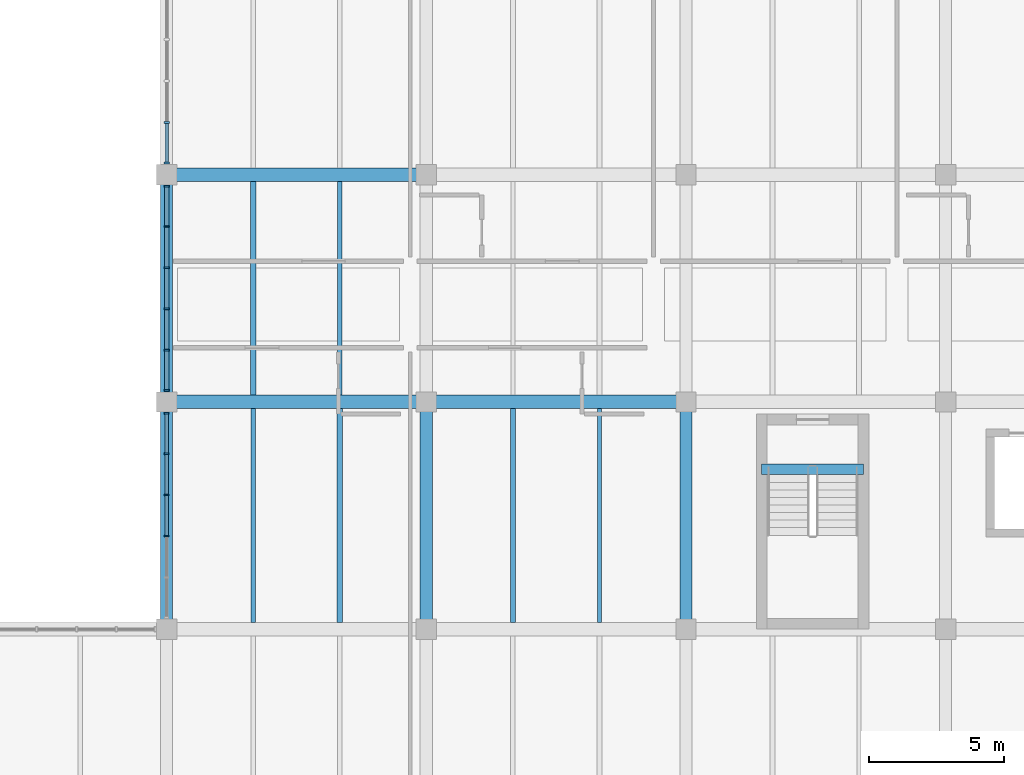
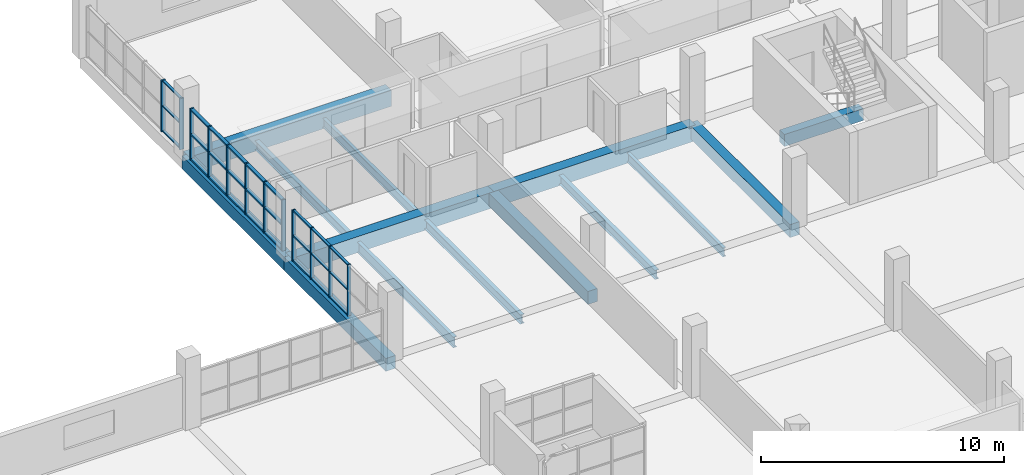
# One storey, part 78 of 147: 39 members, 14 beams, 3 elements without a shape of their own.
"""IFC4 building model written with IfcOpenShell, lengths in metres."""

import ifcopenshell
import ifcopenshell.guid

model = None  # the IFC model being written
_history = None  # IfcOwnerHistory: only IFC2X3 demands one
_inside = {}  # id of a spatial element -> (the spatial element, [elements in it])
_under = {}  # id of a project, library or spatial element -> (it, [spatial elements below it])
_declared = {}  # id of a project -> (the project, [libraries it declares])
_typed = {}  # id of a type object -> (the type object, [elements of that type])
_made_of = {}  # id of a material, layer set ... -> (it, [elements and type objects made of it])


def new_model(schema):
    """Start an empty IFC model of exactly this schema.

    Asked for "IFC4X3", IfcOpenShell would pick the latest addendum, in which some entities
    have other attributes; the version numbers below select the first issue.
    IFC2X3 requires an IfcOwnerHistory on every rooted entity: one is made here for all.
    """
    global model, _history
    if schema == "IFC4X3":
        model = ifcopenshell.file(schema_version=(4, 3, 0, 0))
    else:
        model = ifcopenshell.file(schema=schema)
    _inside.clear()
    _under.clear()
    _declared.clear()
    _typed.clear()
    _made_of.clear()
    _history = None
    if model.schema == "IFC2X3":
        org = make("IfcOrganization", Name="unknown")
        user = make(
            "IfcPersonAndOrganization",
            ThePerson=make("IfcPerson", FamilyName="unknown"),
            TheOrganization=org,
        )
        app = make(
            "IfcApplication",
            ApplicationDeveloper=org,
            Version="unknown",
            ApplicationFullName="unknown",
            ApplicationIdentifier="unknown",
        )
        _history = make(
            "IfcOwnerHistory",
            OwningUser=user,
            OwningApplication=app,
            ChangeAction="ADDED",
            CreationDate=0,
        )
    return model


def make(cls, **values):
    """One entity of the class cls with the attributes given. An attribute that is None is left unset."""
    return model.create_entity(
        cls, **{name: value for name, value in values.items() if value is not None}
    )


def rooted(cls, **values):
    """An entity with a GlobalId (a new one), such as an element, a storey or a relation."""
    return make(cls, GlobalId=ifcopenshell.guid.new(), OwnerHistory=_history, **values)


def si_unit(unit_type, name, prefix=None):
    """IfcSIUnit, for example si_unit("LENGTHUNIT", "METRE", prefix="MILLI")."""
    return make("IfcSIUnit", UnitType=unit_type, Prefix=prefix, Name=name)


def assignment(units):
    """IfcUnitAssignment: the units of a project."""
    return None if units is None else make("IfcUnitAssignment", Units=units)


def point(xyz):
    """IfcCartesianPoint."""
    return None if xyz is None else make("IfcCartesianPoint", Coordinates=xyz)


def direction(xyz):
    """IfcDirection."""
    return None if xyz is None else make("IfcDirection", DirectionRatios=xyz)


def frame(location, z_axis=None, x_axis=None):
    """IfcAxis2Placement3D, a coordinate frame: its origin and axes. An axis left out is left unset."""
    return make(
        "IfcAxis2Placement3D",
        Location=point(location),
        Axis=direction(z_axis),
        RefDirection=direction(x_axis),
    )


def frame_2d(location, x_axis=None):
    """IfcAxis2Placement2D, a coordinate frame in the plane: its origin and x axis."""
    return make(
        "IfcAxis2Placement2D", Location=point(location), RefDirection=direction(x_axis)
    )


def origin():
    """The frame at (0, 0, 0) with its axes left unset."""
    return frame((0.0, 0.0, 0.0))


def origin_2d():
    """The frame at (0, 0) in the plane with its x axis left unset."""
    return frame_2d((0.0, 0.0))


def place(relative_to, where):
    """IfcLocalPlacement: puts the frame where relative to a parent placement (None: the world)."""
    return make(
        "IfcLocalPlacement", PlacementRelTo=relative_to, RelativePlacement=where
    )


def context(
    kind, dimensions, precision=None, world=None, true_north=None, identifier=None
):
    """IfcGeometricRepresentationContext, for example the 3D "Model" context."""
    return make(
        "IfcGeometricRepresentationContext",
        ContextIdentifier=identifier,
        ContextType=kind,
        CoordinateSpaceDimension=dimensions,
        Precision=precision,
        WorldCoordinateSystem=world,
        TrueNorth=true_north,
    )


def subcontext(parent, identifier, kind, view, scale=None):
    """IfcGeometricRepresentationSubContext, for example "Body" below "Model"."""
    return make(
        "IfcGeometricRepresentationSubContext",
        ContextIdentifier=identifier,
        ContextType=kind,
        ParentContext=parent,
        TargetScale=scale,
        TargetView=view,
    )


def project(units=None, contexts=None):
    """IfcProject with its units and contexts."""
    return rooted(
        "IfcProject",
        Name="project",
        RepresentationContexts=contexts,
        UnitsInContext=assignment(units),
    )


def spatial(cls, under=None, at=None, **own):
    """A site, building, storey or space (cls), placed at a placement, below another one or the project."""
    s = rooted(cls, ObjectPlacement=at, **own)
    if under is not None:
        _under.setdefault(under.id(), (under, []))[1].append(s)
    return s


def profile(cls, at=None, kind="AREA", **sizes):
    """A parametric profile (cls). Its sizes go by their IFC names, for example OverallWidth=200.0."""
    return make(cls, ProfileType=kind, Position=at, **sizes)


def rectangle(**sizes):
    """IfcRectangleProfileDef."""
    return profile("IfcRectangleProfileDef", **sizes)


def i_section(**sizes):
    """IfcIShapeProfileDef."""
    return profile("IfcIShapeProfileDef", **sizes)


def extrude(swept, where, along, depth):
    """IfcExtrudedAreaSolid: the profile swept, set in the frame where, extruded along a direction by depth."""
    return make(
        "IfcExtrudedAreaSolid",
        SweptArea=swept,
        Position=where,
        ExtrudedDirection=direction(along),
        Depth=depth,
    )


def shape(context_of_items, identifier, shape_type, items):
    """IfcShapeRepresentation: the items that make up one representation, for example the "Body"."""
    return make(
        "IfcShapeRepresentation",
        ContextOfItems=context_of_items,
        RepresentationIdentifier=identifier,
        RepresentationType=shape_type,
        Items=items,
    )


def material(Name=None, Category=None):
    """IfcMaterial."""
    return make("IfcMaterial", Name=Name, Category=Category)


def material_profile(
    of_material, cross_section, Name=None, Category=None, Priority=None
):
    """IfcMaterialProfile: a cross section and its material."""
    return make(
        "IfcMaterialProfile",
        Name=Name,
        Material=of_material,
        Profile=cross_section,
        Priority=Priority,
        Category=Category,
    )


def profile_set(profiles, Name=None, composite=None):
    """IfcMaterialProfileSet."""
    return make(
        "IfcMaterialProfileSet",
        Name=Name,
        MaterialProfiles=profiles,
        CompositeProfile=composite,
    )


def made_of(thing, what):
    """Note that an element or type object is made of a material, layer set ...; save() writes the relation."""
    if what is not None:
        _made_of.setdefault(what.id(), (what, []))[1].append(thing)
    return thing


def type_object(cls, material=None, **own):
    """A type object (cls), such as IfcWallType, which elements share."""
    return made_of(rooted(cls, **own), material)


def element(
    cls,
    number,
    at=None,
    inside=None,
    cuts=None,
    type_object=None,
    material=None,
    context=None,
    identifier="Body",
    shape_type=None,
    held_by="IfcProductDefinitionShape",
    body=None,
    shapes=None,
    **own,
):
    """One element of the class cls, such as IfcWall. Its Tag is "e" and its number.

    at: its placement. inside: the storey or other place that contains it. cuts: it is an
    opening in that element (IfcRelVoidsElement). A single representation is given by context,
    identifier, shape_type and body (its items); several are given by shapes. held_by: the class
    of the entity that holds the representations. save() writes the other relations.
    """
    e = rooted(cls, Tag="e%d" % number, ObjectPlacement=at, **own)
    if body is not None:
        shapes = [shape(context, identifier, shape_type, body)]
    if shapes is not None:
        e.Representation = make(held_by, Representations=shapes)
    if inside is not None:
        _inside.setdefault(inside.id(), (inside, []))[1].append(e)
    if cuts is not None:
        rooted(
            "IfcRelVoidsElement", RelatingBuildingElement=cuts, RelatedOpeningElement=e
        )
    if type_object is not None:
        _typed.setdefault(type_object.id(), (type_object, []))[1].append(e)
    return made_of(e, material)


def aggregate(whole, parts):
    """IfcRelAggregates: a whole, such as a stair, and the parts it consists of."""
    return rooted("IfcRelAggregates", RelatingObject=whole, RelatedObjects=parts)


def save(model, path):
    """Write the relations noted so far, then the file.

    IfcRelAggregates (storeys below a building ...), IfcRelContainedInSpatialStructure (elements
    in a storey), IfcRelDefinesByType, IfcRelAssociatesMaterial and IfcRelDeclares: one each for
    every whole, place, type object, material and project.
    """
    for whole, parts in _under.values():
        aggregate(whole, parts)
    for where, things in _inside.values():
        rooted(
            "IfcRelContainedInSpatialStructure",
            RelatedElements=things,
            RelatingStructure=where,
        )
    for kind, things in _typed.values():
        rooted("IfcRelDefinesByType", RelatedObjects=things, RelatingType=kind)
    for what, things in _made_of.values():
        rooted("IfcRelAssociatesMaterial", RelatedObjects=things, RelatingMaterial=what)
    for by, libraries in _declared.values():
        rooted("IfcRelDeclares", RelatingContext=by, RelatedDefinitions=libraries)
    model.write(path)


model = new_model("IFC4")

# Units and contexts
model_context = context("Model", 3, precision=1e-05, world=origin(), true_north=direction((0.0, 1.0)))
body_context = subcontext(model_context, "Body", "Model", "MODEL_VIEW")
ifc_project = project(units=[si_unit("LENGTHUNIT", "METRE"), si_unit("AREAUNIT", "SQUARE_METRE"), si_unit("VOLUMEUNIT", "CUBIC_METRE"), si_unit("PLANEANGLEUNIT", "RADIAN"), si_unit("MASSUNIT", "GRAM", prefix="KILO")], contexts=[model_context])

# Site, building, storey
site_placement = place(None, origin())
site = spatial("IfcSite", under=ifc_project, at=site_placement, CompositionType="ELEMENT")
building_placement = place(site_placement, origin())
building = spatial("IfcBuilding", under=site, at=building_placement, Name="Oolite Switchyard Hospital", CompositionType="ELEMENT")
storey_placement = place(building_placement, frame((0.0, 0.0, 9.89990234375)))
storey = spatial("IfcBuildingStorey", under=building, at=storey_placement, Name="L02", CompositionType="ELEMENT", Elevation=9.89990234375)

# Beams
ifc_material_1 = material(Name="Concrete C40/50", Category="concrete")
ifc_material_profile_1 = material_profile(ifc_material_1, rectangle(XDim=0.39990234375, YDim=0.60009765625, at=origin_2d()), Name="RCB400X600")
ifc_profile_set_1 = profile_set([ifc_material_profile_1], Name="Concrete C40/50")
beam_type_1 = type_object("IfcBeamType", Name="BM-RC400X600", PredefinedType="BEAM", material=ifc_profile_set_1)
beam_1_placement = place(storey_placement, frame((156.39990234375, 115.110107421875, -0.2998046875), z_axis=(1.0, 0.0, 0.0), x_axis=(0.0, 1.0, 0.0)))
element("IfcBeam", 1, at=beam_1_placement, inside=storey, type_object=beam_type_1, Name="L02 ST-03 Stair Throat Trimmer Beam", PredefinedType="BEAM", context=body_context, shape_type="SweptSolid", body=[
    extrude(rectangle(XDim=0.39990234375, YDim=0.60009765625, at=origin_2d()), origin(), (0.0, 0.0, 1.0), 3.760009765625),
])
ifc_material_profile_2 = material_profile(ifc_material_1, rectangle(XDim=0.449951171875, YDim=0.64990234375, at=origin_2d()), Name="RCB450X650")
ifc_profile_set_2 = profile_set([ifc_material_profile_2], Name="Concrete C40/50")
beam_type_2 = type_object("IfcBeamType", Name="BM-RC450X650", PredefinedType="BEAM", material=ifc_profile_set_2)
beam_2_placement = place(storey_placement, frame((134.39990234375, 109.199951171875, -0.324951171875), z_axis=(0.0, 1.0, 0.0), x_axis=(-1.0, 0.0, 0.0)))
element("IfcBeam", 2, at=beam_2_placement, inside=storey, type_object=beam_type_2, Name="L02 Y-Girder 1411", PredefinedType="BEAM", context=body_context, shape_type="SweptSolid", body=[
    extrude(rectangle(XDim=0.449951171875, YDim=0.64990234375, at=origin_2d()), origin(), (0.0, 0.0, 1.0), 8.400146484375),
])
beam_3_placement = place(storey_placement, frame((134.39990234375, 117.60009765625, -0.324951171875), z_axis=(0.0, 1.0, 0.0), x_axis=(-1.0, 0.0, 0.0)))
element("IfcBeam", 3, at=beam_3_placement, inside=storey, type_object=beam_type_2, Name="L02 Y-Girder 1412", PredefinedType="BEAM", context=body_context, shape_type="SweptSolid", body=[
    extrude(rectangle(XDim=0.449951171875, YDim=0.64990234375, at=origin_2d()), origin(), (0.0, 0.0, 1.0), 8.39990234375),
])
for number, where, z_axis, x_axis, name in (
    (4, (144.0, 109.199951171875, -0.324951171875), (0.0, 1.0, 0.0), (-1.0, 0.0, 0.0), "L02 Y-Girder 1426"),
    (5, (153.60009765625, 109.199951171875, -0.324951171875), (0.0, 1.0, 0.0), (-1.0, 0.0, 0.0), "L02 Y-Girder 1439"),
):
    element("IfcBeam", number, at=place(storey_placement, frame(where, z_axis=z_axis, x_axis=x_axis)), inside=storey, type_object=beam_type_2, Name=name, PredefinedType="BEAM", context=body_context, shape_type="SweptSolid", body=[
        extrude(rectangle(XDim=0.449951171875, YDim=0.64990234375, at=origin_2d()), origin(), (0.0, 0.0, 1.0), 8.400146484375),
    ])
ifc_material_profile_3 = material_profile(ifc_material_1, rectangle(XDim=0.5, YDim=0.800048828125, at=origin_2d()), Name="RCB500X800")
ifc_profile_set_3 = profile_set([ifc_material_profile_3], Name="Concrete C40/50")
beam_type_3 = type_object("IfcBeamType", Name="BM-RC500X800", PredefinedType="BEAM", material=ifc_profile_set_3)
for number, where, z_axis, x_axis, name in (
    (6, (134.39990234375, 117.60009765625, -0.39990234375), (1.0, 0.0, 0.0), (0.0, 1.0, 0.0), "L02 X-Girder 1211"),
    (7, (144.0, 117.60009765625, -0.39990234375), (1.0, 0.0, 0.0), (0.0, 1.0, 0.0), "L02 X-Girder 1212"),
    (8, (134.39990234375, 126.0, -0.39990234375), (1.0, 0.0, 0.0), (0.0, 1.0, 0.0), "L02 X-Girder 1227"),
):
    element("IfcBeam", number, at=place(storey_placement, frame(where, z_axis=z_axis, x_axis=x_axis)), inside=storey, type_object=beam_type_3, Name=name, PredefinedType="BEAM", context=body_context, shape_type="SweptSolid", body=[
        extrude(rectangle(XDim=0.5, YDim=0.800048828125, at=origin_2d()), origin(), (0.0, 0.0, 1.0), 9.60009765625),
    ])
ifc_material_2 = material(Name="Steel ASTM A992 Grade 50", Category="steel")
ifc_material_profile_4 = material_profile(ifc_material_2, i_section(OverallWidth=0.153076171875, OverallDepth=0.455078125, WebThickness=0.008056640625, FlangeThickness=0.012939453125, at=origin_2d()), Name="W18X40")
ifc_profile_set_4 = profile_set([ifc_material_profile_4], Name="Steel ASTM A992 Grade 50")
beam_type_4 = type_object("IfcBeamType", Name="BM-W18X40", PredefinedType="JOIST", material=ifc_profile_set_4)
beam_4_placement = place(storey_placement, frame((140.800048828125, 117.85009765625, -0.48681640625), z_axis=(0.0, 1.0, 0.0), x_axis=(-1.0, 0.0, 0.0)))
element("IfcBeam", 9, at=beam_4_placement, inside=storey, type_object=beam_type_4, Name="L02 Secondary Steel Joist 1789", PredefinedType="JOIST", context=body_context, shape_type="SweptSolid", body=[
    extrude(i_section(OverallWidth=0.153076171875, OverallDepth=0.455078125, WebThickness=0.008056640625, FlangeThickness=0.012939453125, at=origin_2d()), origin(), (0.0, 0.0, 1.0), 7.89990234375),
])
beam_5_placement = place(storey_placement, frame((150.39990234375, 109.449951171875, -0.48681640625), z_axis=(0.0, 1.0, 0.0), x_axis=(-1.0, 0.0, 0.0)))
element("IfcBeam", 10, at=beam_5_placement, inside=storey, type_object=beam_type_4, Name="L02 Secondary Steel Joist 1807", PredefinedType="JOIST", context=body_context, shape_type="SweptSolid", body=[
    extrude(i_section(OverallWidth=0.153076171875, OverallDepth=0.455078125, WebThickness=0.008056640625, FlangeThickness=0.012939453125, at=origin_2d()), origin(), (0.0, 0.0, 1.0), 7.900146484375),
])
ifc_material_profile_5 = material_profile(ifc_material_2, i_section(OverallWidth=0.19091796875, OverallDepth=0.4599609375, WebThickness=0.010009765625, FlangeThickness=0.01611328125, at=origin_2d()), Name="W18X55")
ifc_profile_set_5 = profile_set([ifc_material_profile_5], Name="Steel ASTM A992 Grade 50")
beam_type_5 = type_object("IfcBeamType", Name="BM-W18X55", PredefinedType="JOIST", material=ifc_profile_set_5)
beam_6_placement = place(storey_placement, frame((140.800048828125, 109.449951171875, -0.489990234375), z_axis=(0.0, 1.0, 0.0), x_axis=(-1.0, 0.0, 0.0)))
element("IfcBeam", 11, at=beam_6_placement, inside=storey, type_object=beam_type_5, Name="L02 Secondary Steel Joist 1787", PredefinedType="JOIST", context=body_context, shape_type="SweptSolid", body=[
    extrude(i_section(OverallWidth=0.19091796875, OverallDepth=0.4599609375, WebThickness=0.010009765625, FlangeThickness=0.01611328125, at=origin_2d()), origin(), (0.0, 0.0, 1.0), 7.900146484375),
])
beam_7_placement = place(storey_placement, frame((137.60009765625, 117.85009765625, -0.489990234375), z_axis=(0.0, 1.0, 0.0), x_axis=(-1.0, 0.0, 0.0)))
element("IfcBeam", 12, at=beam_7_placement, inside=storey, type_object=beam_type_5, Name="L02 Secondary Steel Joist 1788", PredefinedType="JOIST", context=body_context, shape_type="SweptSolid", body=[
    extrude(i_section(OverallWidth=0.19091796875, OverallDepth=0.4599609375, WebThickness=0.010009765625, FlangeThickness=0.01611328125, at=origin_2d()), origin(), (0.0, 0.0, 1.0), 7.89990234375),
])
beam_8_placement = place(storey_placement, frame((147.199951171875, 109.449951171875, -0.489990234375), z_axis=(0.0, 1.0, 0.0), x_axis=(-1.0, 0.0, 0.0)))
element("IfcBeam", 13, at=beam_8_placement, inside=storey, type_object=beam_type_5, Name="L02 Secondary Steel Joist 1806", PredefinedType="JOIST", context=body_context, shape_type="SweptSolid", body=[
    extrude(i_section(OverallWidth=0.19091796875, OverallDepth=0.4599609375, WebThickness=0.010009765625, FlangeThickness=0.01611328125, at=origin_2d()), origin(), (0.0, 0.0, 1.0), 7.900146484375),
])
ifc_material_profile_6 = material_profile(ifc_material_2, i_section(OverallWidth=0.166015625, OverallDepth=0.529052734375, WebThickness=0.010009765625, FlangeThickness=0.013916015625, at=origin_2d()), Name="W21X50")
ifc_profile_set_6 = profile_set([ifc_material_profile_6], Name="Steel ASTM A992 Grade 50")
beam_type_6 = type_object("IfcBeamType", Name="BM-W21X50", PredefinedType="JOIST", material=ifc_profile_set_6)
beam_9_placement = place(storey_placement, frame((137.60009765625, 109.449951171875, -0.52392578125), z_axis=(0.0, 1.0, 0.0), x_axis=(-1.0, 0.0, 0.0)))
element("IfcBeam", 14, at=beam_9_placement, inside=storey, type_object=beam_type_6, Name="L02 Secondary Steel Joist 1786", PredefinedType="JOIST", context=body_context, shape_type="SweptSolid", body=[
    extrude(i_section(OverallWidth=0.166015625, OverallDepth=0.529052734375, WebThickness=0.010009765625, FlangeThickness=0.013916015625, at=origin_2d()), origin(), (0.0, 0.0, 1.0), 7.900146484375),
])

# Curtain wall, members
ifc_material_3 = material(Name="Thermally broken aluminum frame with laminated impact glazing", Category="aluminium")
curtain_wall_type = type_object("IfcCurtainWallType", Name="CW-UNIT-84X36", PredefinedType="USERDEFINED", material=ifc_material_3)
curtain_wall_1_placement = place(storey_placement, origin())
curtain_wall_1 = element("IfcCurtainWall", 15, at=curtain_wall_1_placement, inside=storey, type_object=curtain_wall_type, Name="L02 Unitised Curtain Wall 298", ObjectType="UNITISED", PredefinedType="USERDEFINED")
ifc_material_4 = material(Name="Aluminium 6063-T6", Category="aluminium")
ifc_material_profile_7 = material_profile(ifc_material_4, rectangle(XDim=0.159912109375, YDim=0.06005859375, at=origin_2d()), Name="CWM60X160")
ifc_profile_set_7 = profile_set([ifc_material_profile_7], Name="Aluminium 6063-T6")
member_type_1 = type_object("IfcMemberType", Name="CW-MUL-180", PredefinedType="MULLION", material=ifc_profile_set_7)
member_1_placement = place(storey_placement, frame((134.39990234375, 112.637939453125, 0.0), z_axis=(0.0, 0.0, 1.0), x_axis=(-1.0, 0.0, 0.0)))
member_1 = element("IfcMember", 16, at=member_1_placement, type_object=member_type_1, Name="CW-08 mullion 3", PredefinedType="MULLION", context=body_context, shape_type="SweptSolid", body=[
    extrude(rectangle(XDim=0.159912109375, YDim=0.06005859375, at=origin_2d()), origin(), (0.0, 0.0, 1.0), 2.570068359375),
])
member_2_placement = place(storey_placement, frame((134.39990234375, 114.162109375, 0.0), z_axis=(0.0, 0.0, 1.0), x_axis=(-1.0, 0.0, 0.0)))
member_2 = element("IfcMember", 17, at=member_2_placement, type_object=member_type_1, Name="CW-08 mullion 4", PredefinedType="MULLION", context=body_context, shape_type="SweptSolid", body=[
    extrude(rectangle(XDim=0.159912109375, YDim=0.06005859375, at=origin_2d()), origin(), (0.0, 0.0, 1.0), 2.570068359375),
])
member_3_placement = place(storey_placement, frame((134.39990234375, 115.68603515625, 0.0), z_axis=(0.0, 0.0, 1.0), x_axis=(-1.0, 0.0, 0.0)))
member_3 = element("IfcMember", 18, at=member_3_placement, type_object=member_type_1, Name="CW-08 mullion 5", PredefinedType="MULLION", context=body_context, shape_type="SweptSolid", body=[
    extrude(rectangle(XDim=0.159912109375, YDim=0.06005859375, at=origin_2d()), origin(), (0.0, 0.0, 1.0), 2.570068359375),
])
member_4_placement = place(storey_placement, frame((134.39990234375, 117.179931640625, 0.0), z_axis=(0.0, 0.0, 1.0), x_axis=(-1.0, 0.0, 0.0)))
member_4 = element("IfcMember", 19, at=member_4_placement, type_object=member_type_1, Name="CW-08 mullion 6", PredefinedType="MULLION", context=body_context, shape_type="SweptSolid", body=[
    extrude(rectangle(XDim=0.159912109375, YDim=0.06005859375, at=origin_2d()), origin(), (0.0, 0.0, 1.0), 2.570068359375),
])

curtain_wall_2_placement = place(storey_placement, origin())
curtain_wall_2 = element("IfcCurtainWall", 20, at=curtain_wall_2_placement, inside=storey, type_object=curtain_wall_type, Name="L02 Unitised Curtain Wall 299", ObjectType="UNITISED", PredefinedType="USERDEFINED")
ifc_material_profile_8 = material_profile(ifc_material_4, rectangle(XDim=0.179931640625, YDim=0.070068359375, at=origin_2d()), Name="CWM70X180")
ifc_profile_set_8 = profile_set([ifc_material_profile_8], Name="Aluminium 6063-T6")
member_type_2 = type_object("IfcMemberType", Name="CW-MUL-220", PredefinedType="MULLION", material=ifc_profile_set_8)
member_5_placement = place(storey_placement, frame((134.39990234375, 118.02490234375, 0.0), z_axis=(0.0, 0.0, 1.0), x_axis=(-1.0, 0.0, 0.0)))
member_5 = element("IfcMember", 21, at=member_5_placement, type_object=member_type_2, Name="CW-08 mullion 1", PredefinedType="MULLION", context=body_context, shape_type="SweptSolid", body=[
    extrude(rectangle(XDim=0.179931640625, YDim=0.070068359375, at=origin_2d()), origin(), (0.0, 0.0, 1.0), 2.570068359375),
])
member_6_placement = place(storey_placement, frame((134.39990234375, 119.513916015625, 0.0), z_axis=(0.0, 0.0, 1.0), x_axis=(-1.0, 0.0, 0.0)))
member_6 = element("IfcMember", 22, at=member_6_placement, type_object=member_type_2, Name="CW-08 mullion 2", PredefinedType="MULLION", context=body_context, shape_type="SweptSolid", body=[
    extrude(rectangle(XDim=0.179931640625, YDim=0.070068359375, at=origin_2d()), origin(), (0.0, 0.0, 1.0), 2.570068359375),
])
member_7_placement = place(storey_placement, frame((134.39990234375, 121.0380859375, 0.0), z_axis=(0.0, 0.0, 1.0), x_axis=(-1.0, 0.0, 0.0)))
member_7 = element("IfcMember", 23, at=member_7_placement, type_object=member_type_2, Name="CW-08 mullion 3", PredefinedType="MULLION", context=body_context, shape_type="SweptSolid", body=[
    extrude(rectangle(XDim=0.179931640625, YDim=0.070068359375, at=origin_2d()), origin(), (0.0, 0.0, 1.0), 2.570068359375),
])
member_8_placement = place(storey_placement, frame((134.39990234375, 122.56201171875, 0.0), z_axis=(0.0, 0.0, 1.0), x_axis=(-1.0, 0.0, 0.0)))
member_8 = element("IfcMember", 24, at=member_8_placement, type_object=member_type_2, Name="CW-08 mullion 4", PredefinedType="MULLION", context=body_context, shape_type="SweptSolid", body=[
    extrude(rectangle(XDim=0.179931640625, YDim=0.070068359375, at=origin_2d()), origin(), (0.0, 0.0, 1.0), 2.570068359375),
])
member_9_placement = place(storey_placement, frame((134.39990234375, 124.0859375, 0.0), z_axis=(0.0, 0.0, 1.0), x_axis=(-1.0, 0.0, 0.0)))
member_9 = element("IfcMember", 25, at=member_9_placement, type_object=member_type_2, Name="CW-08 mullion 5", PredefinedType="MULLION", context=body_context, shape_type="SweptSolid", body=[
    extrude(rectangle(XDim=0.179931640625, YDim=0.070068359375, at=origin_2d()), origin(), (0.0, 0.0, 1.0), 2.570068359375),
])
member_10_placement = place(storey_placement, frame((134.39990234375, 125.574951171875, 0.0), z_axis=(0.0, 0.0, 1.0), x_axis=(-1.0, 0.0, 0.0)))
member_10 = element("IfcMember", 26, at=member_10_placement, type_object=member_type_2, Name="CW-08 mullion 6", PredefinedType="MULLION", context=body_context, shape_type="SweptSolid", body=[
    extrude(rectangle(XDim=0.179931640625, YDim=0.070068359375, at=origin_2d()), origin(), (0.0, 0.0, 1.0), 2.570068359375),
])

curtain_wall_3_placement = place(storey_placement, origin())
curtain_wall_3 = element("IfcCurtainWall", 27, at=curtain_wall_3_placement, inside=storey, type_object=curtain_wall_type, Name="L02 Unitised Curtain Wall 300", ObjectType="UNITISED", PredefinedType="USERDEFINED")
ifc_material_profile_9 = material_profile(ifc_material_4, rectangle(XDim=0.199951171875, YDim=0.074951171875, at=origin_2d()), Name="CWM75X200")
ifc_profile_set_9 = profile_set([ifc_material_profile_9], Name="Aluminium 6063-T6")
member_type_3 = type_object("IfcMemberType", Name="CW-MUL-260", PredefinedType="MULLION", material=ifc_profile_set_9)
member_11_placement = place(storey_placement, frame((134.39990234375, 126.427490234375, 0.0), z_axis=(0.0, 0.0, 1.0), x_axis=(-1.0, 0.0, 0.0)))
member_11 = element("IfcMember", 28, at=member_11_placement, type_object=member_type_3, Name="CW-08 mullion 1", PredefinedType="MULLION", context=body_context, shape_type="SweptSolid", body=[
    extrude(rectangle(XDim=0.199951171875, YDim=0.074951171875, at=origin_2d()), origin(), (0.0, 0.0, 1.0), 2.570068359375),
])
member_12_placement = place(storey_placement, frame((134.39990234375, 127.928955078125, 0.0), z_axis=(0.0, 0.0, 1.0), x_axis=(-1.0, 0.0, 0.0)))
member_12 = element("IfcMember", 29, at=member_12_placement, type_object=member_type_3, Name="CW-08 mullion 2", PredefinedType="MULLION", context=body_context, shape_type="SweptSolid", body=[
    extrude(rectangle(XDim=0.199951171875, YDim=0.074951171875, at=origin_2d()), origin(), (0.0, 0.0, 1.0), 2.570068359375),
])

# Member
ifc_material_profile_10 = material_profile(ifc_material_4, rectangle(XDim=0.1201171875, YDim=0.06005859375, at=origin_2d()), Name="CWT60X120")
ifc_profile_set_10 = profile_set([ifc_material_profile_10], Name="Aluminium 6063-T6")
member_type_4 = type_object("IfcMemberType", Name="CW-TRN-150", PredefinedType="USERDEFINED", material=ifc_profile_set_10)
member_13_placement = place(storey_placement, frame((134.39990234375, 112.66796875, 0.030029296875), z_axis=(0.0, 1.0, 0.0), x_axis=(-1.0, 0.0, 0.0)))
member_13 = element("IfcMember", 30, at=member_13_placement, type_object=member_type_4, Name="CW-08 transom 3.1", ObjectType="TRANSOM", PredefinedType="USERDEFINED", context=body_context, shape_type="SweptSolid", body=[
    extrude(rectangle(XDim=0.1201171875, YDim=0.06005859375, at=origin_2d()), origin(), (0.0, 0.0, 1.0), 1.464111328125),
])

member_14_placement = place(storey_placement, frame((134.39990234375, 112.66796875, 1.28515625), z_axis=(0.0, 1.0, 0.0), x_axis=(-1.0, 0.0, 0.0)))
member_14 = element("IfcMember", 31, at=member_14_placement, type_object=member_type_4, Name="CW-08 transom 3.2", ObjectType="TRANSOM", PredefinedType="USERDEFINED", context=body_context, shape_type="SweptSolid", body=[
    extrude(rectangle(XDim=0.1201171875, YDim=0.06005859375, at=origin_2d()), origin(), (0.0, 0.0, 1.0), 1.464111328125),
])

member_15_placement = place(storey_placement, frame((134.39990234375, 112.66796875, 2.5400390625), z_axis=(0.0, 1.0, 0.0), x_axis=(-1.0, 0.0, 0.0)))
member_15 = element("IfcMember", 32, at=member_15_placement, type_object=member_type_4, Name="CW-08 transom 3.3", ObjectType="TRANSOM", PredefinedType="USERDEFINED", context=body_context, shape_type="SweptSolid", body=[
    extrude(rectangle(XDim=0.1201171875, YDim=0.06005859375, at=origin_2d()), origin(), (0.0, 0.0, 1.0), 1.464111328125),
])

member_16_placement = place(storey_placement, frame((134.39990234375, 114.19189453125, 0.030029296875), z_axis=(0.0, 1.0, 0.0), x_axis=(-1.0, 0.0, 0.0)))
member_16 = element("IfcMember", 33, at=member_16_placement, type_object=member_type_4, Name="CW-08 transom 4.1", ObjectType="TRANSOM", PredefinedType="USERDEFINED", context=body_context, shape_type="SweptSolid", body=[
    extrude(rectangle(XDim=0.1201171875, YDim=0.06005859375, at=origin_2d()), origin(), (0.0, 0.0, 1.0), 1.464111328125),
])

member_17_placement = place(storey_placement, frame((134.39990234375, 114.19189453125, 1.28515625), z_axis=(0.0, 1.0, 0.0), x_axis=(-1.0, 0.0, 0.0)))
member_17 = element("IfcMember", 34, at=member_17_placement, type_object=member_type_4, Name="CW-08 transom 4.2", ObjectType="TRANSOM", PredefinedType="USERDEFINED", context=body_context, shape_type="SweptSolid", body=[
    extrude(rectangle(XDim=0.1201171875, YDim=0.06005859375, at=origin_2d()), origin(), (0.0, 0.0, 1.0), 1.464111328125),
])

member_18_placement = place(storey_placement, frame((134.39990234375, 114.19189453125, 2.5400390625), z_axis=(0.0, 1.0, 0.0), x_axis=(-1.0, 0.0, 0.0)))
member_18 = element("IfcMember", 35, at=member_18_placement, type_object=member_type_4, Name="CW-08 transom 4.3", ObjectType="TRANSOM", PredefinedType="USERDEFINED", context=body_context, shape_type="SweptSolid", body=[
    extrude(rectangle(XDim=0.1201171875, YDim=0.06005859375, at=origin_2d()), origin(), (0.0, 0.0, 1.0), 1.464111328125),
])

member_19_placement = place(storey_placement, frame((134.39990234375, 115.716064453125, 0.030029296875), z_axis=(0.0, 1.0, 0.0), x_axis=(-1.0, 0.0, 0.0)))
member_19 = element("IfcMember", 36, at=member_19_placement, type_object=member_type_4, Name="CW-08 transom 5.1", ObjectType="TRANSOM", PredefinedType="USERDEFINED", context=body_context, shape_type="SweptSolid", body=[
    extrude(rectangle(XDim=0.1201171875, YDim=0.06005859375, at=origin_2d()), origin(), (0.0, 0.0, 1.0), 1.433837890625),
])

member_20_placement = place(storey_placement, frame((134.39990234375, 115.716064453125, 1.28515625), z_axis=(0.0, 1.0, 0.0), x_axis=(-1.0, 0.0, 0.0)))
member_20 = element("IfcMember", 37, at=member_20_placement, type_object=member_type_4, Name="CW-08 transom 5.2", ObjectType="TRANSOM", PredefinedType="USERDEFINED", context=body_context, shape_type="SweptSolid", body=[
    extrude(rectangle(XDim=0.1201171875, YDim=0.06005859375, at=origin_2d()), origin(), (0.0, 0.0, 1.0), 1.433837890625),
])

member_21_placement = place(storey_placement, frame((134.39990234375, 115.716064453125, 2.5400390625), z_axis=(0.0, 1.0, 0.0), x_axis=(-1.0, 0.0, 0.0)))
member_21 = element("IfcMember", 38, at=member_21_placement, type_object=member_type_4, Name="CW-08 transom 5.3", ObjectType="TRANSOM", PredefinedType="USERDEFINED", context=body_context, shape_type="SweptSolid", body=[
    extrude(rectangle(XDim=0.1201171875, YDim=0.06005859375, at=origin_2d()), origin(), (0.0, 0.0, 1.0), 1.433837890625),
])

aggregate(curtain_wall_1, [member_1, member_2, member_3, member_4, member_13, member_14, member_15, member_16, member_17, member_18, member_19, member_20, member_21])

member_22_placement = place(storey_placement, frame((134.39990234375, 126.465087890625, 0.030029296875), z_axis=(0.0, 1.0, 0.0), x_axis=(-1.0, 0.0, 0.0)))
member_22 = element("IfcMember", 39, at=member_22_placement, type_object=member_type_4, Name="CW-08 transom 1.1", ObjectType="TRANSOM", PredefinedType="USERDEFINED", context=body_context, shape_type="SweptSolid", body=[
    extrude(rectangle(XDim=0.1201171875, YDim=0.06005859375, at=origin_2d()), origin(), (0.0, 0.0, 1.0), 1.426513671875),
])

member_23_placement = place(storey_placement, frame((134.39990234375, 126.465087890625, 1.28515625), z_axis=(0.0, 1.0, 0.0), x_axis=(-1.0, 0.0, 0.0)))
member_23 = element("IfcMember", 40, at=member_23_placement, type_object=member_type_4, Name="CW-08 transom 1.2", ObjectType="TRANSOM", PredefinedType="USERDEFINED", context=body_context, shape_type="SweptSolid", body=[
    extrude(rectangle(XDim=0.1201171875, YDim=0.06005859375, at=origin_2d()), origin(), (0.0, 0.0, 1.0), 1.426513671875),
])

member_24_placement = place(storey_placement, frame((134.39990234375, 126.465087890625, 2.5400390625), z_axis=(0.0, 1.0, 0.0), x_axis=(-1.0, 0.0, 0.0)))
member_24 = element("IfcMember", 41, at=member_24_placement, type_object=member_type_4, Name="CW-08 transom 1.3", ObjectType="TRANSOM", PredefinedType="USERDEFINED", context=body_context, shape_type="SweptSolid", body=[
    extrude(rectangle(XDim=0.1201171875, YDim=0.06005859375, at=origin_2d()), origin(), (0.0, 0.0, 1.0), 1.426513671875),
])

aggregate(curtain_wall_3, [member_11, member_12, member_22, member_23, member_24])

ifc_material_profile_11 = material_profile(ifc_material_4, rectangle(XDim=0.159912109375, YDim=0.074951171875, at=origin_2d()), Name="CWT75X160")
ifc_profile_set_11 = profile_set([ifc_material_profile_11], Name="Aluminium 6063-T6")
member_type_5 = type_object("IfcMemberType", Name="CW-TRN-180", PredefinedType="USERDEFINED", material=ifc_profile_set_11)
member_25_placement = place(storey_placement, frame((134.39990234375, 118.06005859375, 0.03759765625), z_axis=(0.0, 1.0, 0.0), x_axis=(-1.0, 0.0, 0.0)))
member_25 = element("IfcMember", 42, at=member_25_placement, type_object=member_type_5, Name="CW-08 transom 1.1", ObjectType="TRANSOM", PredefinedType="USERDEFINED", context=body_context, shape_type="SweptSolid", body=[
    extrude(rectangle(XDim=0.159912109375, YDim=0.074951171875, at=origin_2d()), origin(), (0.0, 0.0, 1.0), 1.4189453125),
])

member_26_placement = place(storey_placement, frame((134.39990234375, 118.06005859375, 1.28515625), z_axis=(0.0, 1.0, 0.0), x_axis=(-1.0, 0.0, 0.0)))
member_26 = element("IfcMember", 43, at=member_26_placement, type_object=member_type_5, Name="CW-08 transom 1.2", ObjectType="TRANSOM", PredefinedType="USERDEFINED", context=body_context, shape_type="SweptSolid", body=[
    extrude(rectangle(XDim=0.159912109375, YDim=0.074951171875, at=origin_2d()), origin(), (0.0, 0.0, 1.0), 1.4189453125),
])

member_27_placement = place(storey_placement, frame((134.39990234375, 118.06005859375, 2.53271484375), z_axis=(0.0, 1.0, 0.0), x_axis=(-1.0, 0.0, 0.0)))
member_27 = element("IfcMember", 44, at=member_27_placement, type_object=member_type_5, Name="CW-08 transom 1.3", ObjectType="TRANSOM", PredefinedType="USERDEFINED", context=body_context, shape_type="SweptSolid", body=[
    extrude(rectangle(XDim=0.159912109375, YDim=0.074951171875, at=origin_2d()), origin(), (0.0, 0.0, 1.0), 1.4189453125),
])

member_28_placement = place(storey_placement, frame((134.39990234375, 119.549072265625, 0.03759765625), z_axis=(0.0, 1.0, 0.0), x_axis=(-1.0, 0.0, 0.0)))
member_28 = element("IfcMember", 45, at=member_28_placement, type_object=member_type_5, Name="CW-08 transom 2.1", ObjectType="TRANSOM", PredefinedType="USERDEFINED", context=body_context, shape_type="SweptSolid", body=[
    extrude(rectangle(XDim=0.159912109375, YDim=0.074951171875, at=origin_2d()), origin(), (0.0, 0.0, 1.0), 1.453857421875),
])

member_29_placement = place(storey_placement, frame((134.39990234375, 119.549072265625, 1.28515625), z_axis=(0.0, 1.0, 0.0), x_axis=(-1.0, 0.0, 0.0)))
member_29 = element("IfcMember", 46, at=member_29_placement, type_object=member_type_5, Name="CW-08 transom 2.2", ObjectType="TRANSOM", PredefinedType="USERDEFINED", context=body_context, shape_type="SweptSolid", body=[
    extrude(rectangle(XDim=0.159912109375, YDim=0.074951171875, at=origin_2d()), origin(), (0.0, 0.0, 1.0), 1.453857421875),
])

member_30_placement = place(storey_placement, frame((134.39990234375, 119.549072265625, 2.53271484375), z_axis=(0.0, 1.0, 0.0), x_axis=(-1.0, 0.0, 0.0)))
member_30 = element("IfcMember", 47, at=member_30_placement, type_object=member_type_5, Name="CW-08 transom 2.3", ObjectType="TRANSOM", PredefinedType="USERDEFINED", context=body_context, shape_type="SweptSolid", body=[
    extrude(rectangle(XDim=0.159912109375, YDim=0.074951171875, at=origin_2d()), origin(), (0.0, 0.0, 1.0), 1.453857421875),
])

member_31_placement = place(storey_placement, frame((134.39990234375, 121.072998046875, 0.03759765625), z_axis=(0.0, 1.0, 0.0), x_axis=(-1.0, 0.0, 0.0)))
member_31 = element("IfcMember", 48, at=member_31_placement, type_object=member_type_5, Name="CW-08 transom 3.1", ObjectType="TRANSOM", PredefinedType="USERDEFINED", context=body_context, shape_type="SweptSolid", body=[
    extrude(rectangle(XDim=0.159912109375, YDim=0.074951171875, at=origin_2d()), origin(), (0.0, 0.0, 1.0), 1.4541015625),
])

member_32_placement = place(storey_placement, frame((134.39990234375, 121.072998046875, 1.28515625), z_axis=(0.0, 1.0, 0.0), x_axis=(-1.0, 0.0, 0.0)))
member_32 = element("IfcMember", 49, at=member_32_placement, type_object=member_type_5, Name="CW-08 transom 3.2", ObjectType="TRANSOM", PredefinedType="USERDEFINED", context=body_context, shape_type="SweptSolid", body=[
    extrude(rectangle(XDim=0.159912109375, YDim=0.074951171875, at=origin_2d()), origin(), (0.0, 0.0, 1.0), 1.4541015625),
])

member_33_placement = place(storey_placement, frame((134.39990234375, 121.072998046875, 2.53271484375), z_axis=(0.0, 1.0, 0.0), x_axis=(-1.0, 0.0, 0.0)))
member_33 = element("IfcMember", 50, at=member_33_placement, type_object=member_type_5, Name="CW-08 transom 3.3", ObjectType="TRANSOM", PredefinedType="USERDEFINED", context=body_context, shape_type="SweptSolid", body=[
    extrude(rectangle(XDim=0.159912109375, YDim=0.074951171875, at=origin_2d()), origin(), (0.0, 0.0, 1.0), 1.4541015625),
])

member_34_placement = place(storey_placement, frame((134.39990234375, 122.596923828125, 0.03759765625), z_axis=(0.0, 1.0, 0.0), x_axis=(-1.0, 0.0, 0.0)))
member_34 = element("IfcMember", 51, at=member_34_placement, type_object=member_type_5, Name="CW-08 transom 4.1", ObjectType="TRANSOM", PredefinedType="USERDEFINED", context=body_context, shape_type="SweptSolid", body=[
    extrude(rectangle(XDim=0.159912109375, YDim=0.074951171875, at=origin_2d()), origin(), (0.0, 0.0, 1.0), 1.4541015625),
])

member_35_placement = place(storey_placement, frame((134.39990234375, 122.596923828125, 1.28515625), z_axis=(0.0, 1.0, 0.0), x_axis=(-1.0, 0.0, 0.0)))
member_35 = element("IfcMember", 52, at=member_35_placement, type_object=member_type_5, Name="CW-08 transom 4.2", ObjectType="TRANSOM", PredefinedType="USERDEFINED", context=body_context, shape_type="SweptSolid", body=[
    extrude(rectangle(XDim=0.159912109375, YDim=0.074951171875, at=origin_2d()), origin(), (0.0, 0.0, 1.0), 1.4541015625),
])

member_36_placement = place(storey_placement, frame((134.39990234375, 122.596923828125, 2.53271484375), z_axis=(0.0, 1.0, 0.0), x_axis=(-1.0, 0.0, 0.0)))
member_36 = element("IfcMember", 53, at=member_36_placement, type_object=member_type_5, Name="CW-08 transom 4.3", ObjectType="TRANSOM", PredefinedType="USERDEFINED", context=body_context, shape_type="SweptSolid", body=[
    extrude(rectangle(XDim=0.159912109375, YDim=0.074951171875, at=origin_2d()), origin(), (0.0, 0.0, 1.0), 1.4541015625),
])

member_37_placement = place(storey_placement, frame((134.39990234375, 124.12109375, 0.03759765625), z_axis=(0.0, 1.0, 0.0), x_axis=(-1.0, 0.0, 0.0)))
member_37 = element("IfcMember", 54, at=member_37_placement, type_object=member_type_5, Name="CW-08 transom 5.1", ObjectType="TRANSOM", PredefinedType="USERDEFINED", context=body_context, shape_type="SweptSolid", body=[
    extrude(rectangle(XDim=0.159912109375, YDim=0.074951171875, at=origin_2d()), origin(), (0.0, 0.0, 1.0), 1.4189453125),
])

member_38_placement = place(storey_placement, frame((134.39990234375, 124.12109375, 1.28515625), z_axis=(0.0, 1.0, 0.0), x_axis=(-1.0, 0.0, 0.0)))
member_38 = element("IfcMember", 55, at=member_38_placement, type_object=member_type_5, Name="CW-08 transom 5.2", ObjectType="TRANSOM", PredefinedType="USERDEFINED", context=body_context, shape_type="SweptSolid", body=[
    extrude(rectangle(XDim=0.159912109375, YDim=0.074951171875, at=origin_2d()), origin(), (0.0, 0.0, 1.0), 1.4189453125),
])

member_39_placement = place(storey_placement, frame((134.39990234375, 124.12109375, 2.53271484375), z_axis=(0.0, 1.0, 0.0), x_axis=(-1.0, 0.0, 0.0)))
member_39 = element("IfcMember", 56, at=member_39_placement, type_object=member_type_5, Name="CW-08 transom 5.3", ObjectType="TRANSOM", PredefinedType="USERDEFINED", context=body_context, shape_type="SweptSolid", body=[
    extrude(rectangle(XDim=0.159912109375, YDim=0.074951171875, at=origin_2d()), origin(), (0.0, 0.0, 1.0), 1.4189453125),
])

aggregate(curtain_wall_2, [member_5, member_6, member_7, member_8, member_9, member_10, member_25, member_26, member_27, member_28, member_29, member_30, member_31, member_32, member_33, member_34, member_35, member_36, member_37, member_38, member_39])

save(model, "model.ifc")
